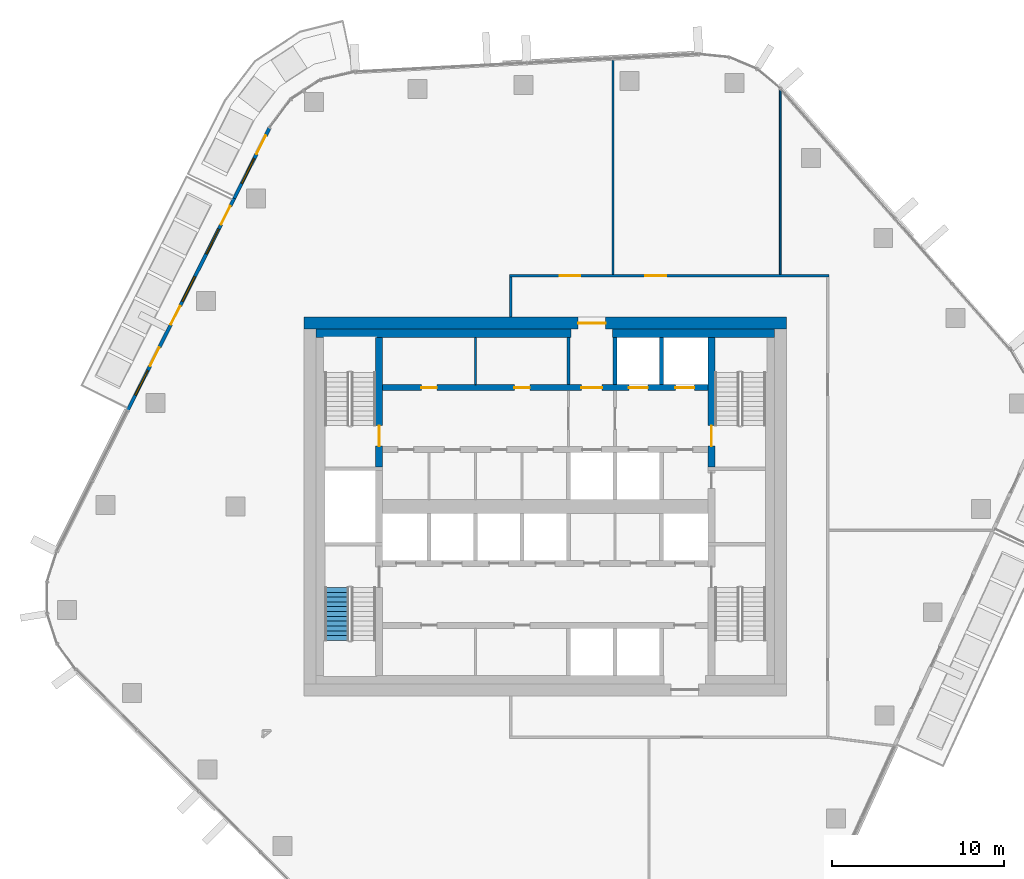
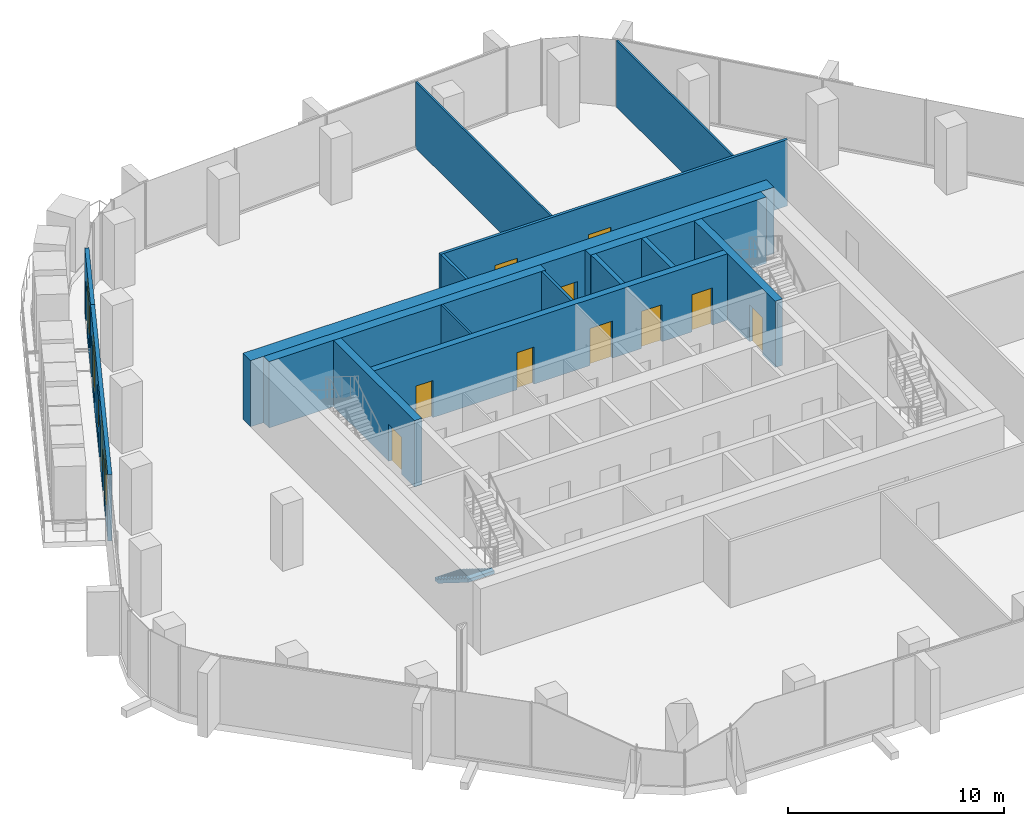
# One storey, part 13 of 21: 16 walls, 14 doors, 4 windows, 1 stair flight, 18 openings, 1 element without a shape of its own.
"""IFC4 building model written with IfcOpenShell, lengths in metres."""

from ifc_helpers import new_model, si_unit, direction, frame, frame_2d, origin, place, context, subcontext, project, spatial, polyline, rectangle, outline, extrude, material, layer, layer_set, type_object, element, fill, aggregate, save


model = new_model("IFC4")

# Units and contexts
model_context = context("Model", 3, precision=1e-05, world=origin(), true_north=direction((0.0, 1.0)))
body_context = subcontext(model_context, "Body", "Model", "MODEL_VIEW")
ifc_project = project(units=[si_unit("LENGTHUNIT", "METRE"), si_unit("AREAUNIT", "SQUARE_METRE"), si_unit("VOLUMEUNIT", "CUBIC_METRE"), si_unit("PLANEANGLEUNIT", "RADIAN"), si_unit("MASSUNIT", "GRAM", prefix="KILO")], contexts=[model_context])

# Site, building, storey
site_placement = place(None, origin())
site = spatial("IfcSite", under=ifc_project, at=site_placement, CompositionType="ELEMENT")
building_placement = place(site_placement, origin())
building = spatial("IfcBuilding", under=site, at=building_placement, Name="Dongbaek Canopy Tower", CompositionType="ELEMENT")
storey_placement = place(building_placement, frame((0.0, 0.0, 232.800048828125)))
storey = spatial("IfcBuildingStorey", under=building, at=storey_placement, Name="L48", CompositionType="ELEMENT", Elevation=232.800048828125)

# Wall, openings, doors
ifc_material_1 = material(Name="Concrete C60/75", Category="concrete")
ifc_layer_1 = layer(ifc_material_1, 0.35009765625)
ifc_layer_set_1 = layer_set([ifc_layer_1], Name="Core lobby wall 350 Concrete C60/75")
wall_type_1 = type_object("IfcWallType", Name="Core lobby wall 350 Concrete C60/75", PredefinedType="SHEAR", material=ifc_layer_set_1)
wall_1_placement = place(storey_placement, frame((-9.449951171875, 6.89990234375, 0.0), z_axis=(0.0, 0.0, 1.0), x_axis=(1.0, 0.0, 0.0)))
wall_1 = element("IfcWall", 1, at=wall_1_placement, inside=storey, type_object=wall_type_1, Name="Core wall", PredefinedType="SHEAR", context=body_context, shape_type="SweptSolid", body=[
    extrude(rectangle(XDim=18.89990234375, YDim=0.35009765625, at=frame_2d((9.449951171875, 0.0))), origin(), (0.0, 0.0, 1.0), 3.75),
])
opening_1_placement = place(wall_1_placement, frame((11.550048828125, 0.0, 0.0)))
opening_1 = element("IfcOpeningElement", 2, at=opening_1_placement, cuts=wall_1, Name="Opening L48-D008", PredefinedType="OPENING", context=body_context, shape_type="SweptSolid", body=[
    extrude(rectangle(XDim=1.199951171875, YDim=2.10009765625, at=frame_2d((0.60009765625, 1.050048828125))), frame((0.0, 0.18505859375, 0.0), z_axis=(0.0, -1.0, 0.0), x_axis=(1.0, 0.0, 0.0)), (0.0, 0.0, 1.0), 0.3701171875),
])
opening_2_placement = place(wall_1_placement, frame((14.300048828125, 0.0, 0.0)))
opening_2 = element("IfcOpeningElement", 3, at=opening_2_placement, cuts=wall_1, Name="Opening L48-D009", PredefinedType="OPENING", context=body_context, shape_type="SweptSolid", body=[
    extrude(rectangle(XDim=1.10009765625, YDim=2.10009765625, at=frame_2d((0.550048828125, 1.050048828125))), frame((0.0, 0.18505859375, 0.0), z_axis=(0.0, -1.0, 0.0), x_axis=(1.0, 0.0, 0.0)), (0.0, 0.0, 1.0), 0.3701171875),
])
opening_3_placement = place(wall_1_placement, frame((17.0, 0.0, 0.0)))
opening_3 = element("IfcOpeningElement", 4, at=opening_3_placement, cuts=wall_1, Name="Opening L48-D010", PredefinedType="OPENING", context=body_context, shape_type="SweptSolid", body=[
    extrude(rectangle(XDim=1.10009765625, YDim=2.10009765625, at=frame_2d((0.550048828125, 1.050048828125))), frame((0.0, 0.18505859375, 0.0), z_axis=(0.0, -1.0, 0.0), x_axis=(1.0, 0.0, 0.0)), (0.0, 0.0, 1.0), 0.3701171875),
])
opening_4_placement = place(wall_1_placement, frame((2.25, 0.0, 0.0)))
opening_4 = element("IfcOpeningElement", 5, at=opening_4_placement, cuts=wall_1, Name="Opening L48-D021", PredefinedType="OPENING", context=body_context, shape_type="SweptSolid", body=[
    extrude(rectangle(XDim=0.89990234375, YDim=2.10009765625, at=frame_2d((0.449951171875, 1.050048828125))), frame((0.0, 0.18505859375, 0.0), z_axis=(0.0, -1.0, 0.0), x_axis=(1.0, 0.0, 0.0)), (0.0, 0.0, 1.0), 0.3701171875),
])
opening_5_placement = place(wall_1_placement, frame((7.64990234375, 0.0, 0.0)))
opening_5 = element("IfcOpeningElement", 6, at=opening_5_placement, cuts=wall_1, Name="Opening L48-D022", PredefinedType="OPENING", context=body_context, shape_type="SweptSolid", body=[
    extrude(rectangle(XDim=0.89990234375, YDim=2.10009765625, at=frame_2d((0.449951171875, 1.050048828125))), frame((0.0, 0.18505859375, 0.0), z_axis=(0.0, -1.0, 0.0), x_axis=(1.0, 0.0, 0.0)), (0.0, 0.0, 1.0), 0.3701171875),
])
ifc_material_2 = material(Name="Steel", Category="steel")
door_type_1 = type_object("IfcDoorType", Name="Core room door 900 x 2100", OperationType="SINGLE_SWING_LEFT", PredefinedType="DOOR", material=ifc_material_2)
door_1_placement = place(opening_4_placement, origin())
door_1 = element("IfcDoor", 7, at=door_1_placement, inside=storey, type_object=door_type_1, Name="Door L48-D021", OperationType="SINGLE_SWING_RIGHT", OverallHeight=2.10009765625, OverallWidth=0.89990234375, PredefinedType="DOOR", context=body_context, shape_type="SweptSolid", body=[
    extrude(rectangle(XDim=0.89990234375, YDim=2.10009765625, at=frame_2d((0.449951171875, 1.050048828125))), frame((0.0, 0.02490234375, 0.0), z_axis=(0.0, -1.0, 0.0), x_axis=(1.0, 0.0, 0.0)), (0.0, 0.0, 1.0), 0.050048828125),
])
fill(opening_4, door_1)
door_2_placement = place(opening_5_placement, origin())
door_2 = element("IfcDoor", 8, at=door_2_placement, inside=storey, type_object=door_type_1, Name="Door L48-D022", OperationType="SINGLE_SWING_LEFT", OverallHeight=2.10009765625, OverallWidth=0.89990234375, PredefinedType="DOOR", context=body_context, shape_type="SweptSolid", body=[
    extrude(rectangle(XDim=0.89990234375, YDim=2.10009765625, at=frame_2d((0.449951171875, 1.050048828125))), frame((0.0, 0.02490234375, 0.0), z_axis=(0.0, -1.0, 0.0), x_axis=(1.0, 0.0, 0.0)), (0.0, 0.0, 1.0), 0.050048828125),
])
fill(opening_5, door_2)
ifc_material_3 = material(Name="Steel", Category="steel")
door_type_2 = type_object("IfcDoorType", Name="Fire lobby door 1200 x 2100", OperationType="SINGLE_SWING_LEFT", PredefinedType="DOOR", material=ifc_material_3)
door_3_placement = place(opening_1_placement, origin())
door_3 = element("IfcDoor", 9, at=door_3_placement, inside=storey, type_object=door_type_2, Name="Door L48-D008", OperationType="SINGLE_SWING_LEFT", OverallHeight=2.10009765625, OverallWidth=1.199951171875, PredefinedType="DOOR", context=body_context, shape_type="SweptSolid", body=[
    extrude(rectangle(XDim=1.199951171875, YDim=2.10009765625, at=frame_2d((0.60009765625, 1.050048828125))), frame((0.0, 0.02490234375, 0.0), z_axis=(0.0, -1.0, 0.0), x_axis=(1.0, 0.0, 0.0)), (0.0, 0.0, 1.0), 0.050048828125),
])
fill(opening_1, door_3)
ifc_material_4 = material(Name="Stainless steel", Category="steel")
door_type_3 = type_object("IfcDoorType", Name="Lift landing door 1100 x 2100", OperationType="DOUBLE_DOOR_SLIDING", PredefinedType="DOOR", material=ifc_material_4)
door_4_placement = place(opening_2_placement, origin())
door_4 = element("IfcDoor", 10, at=door_4_placement, inside=storey, type_object=door_type_3, Name="Landing door FF1", OperationType="DOUBLE_DOOR_SLIDING", OverallHeight=2.10009765625, OverallWidth=1.10009765625, PredefinedType="DOOR", context=body_context, shape_type="SweptSolid", body=[
    extrude(rectangle(XDim=1.10009765625, YDim=2.10009765625, at=frame_2d((0.550048828125, 1.050048828125))), frame((0.0, 0.02490234375, 0.0), z_axis=(0.0, -1.0, 0.0), x_axis=(1.0, 0.0, 0.0)), (0.0, 0.0, 1.0), 0.050048828125),
])
fill(opening_2, door_4)
door_5_placement = place(opening_3_placement, origin())
door_5 = element("IfcDoor", 11, at=door_5_placement, inside=storey, type_object=door_type_3, Name="Landing door FF2", OperationType="DOUBLE_DOOR_SLIDING", OverallHeight=2.10009765625, OverallWidth=1.10009765625, PredefinedType="DOOR", context=body_context, shape_type="SweptSolid", body=[
    extrude(rectangle(XDim=1.10009765625, YDim=2.10009765625, at=frame_2d((0.550048828125, 1.050048828125))), frame((0.0, 0.02490234375, 0.0), z_axis=(0.0, -1.0, 0.0), x_axis=(1.0, 0.0, 0.0)), (0.0, 0.0, 1.0), 0.050048828125),
])
fill(opening_3, door_5)

# Wall, opening, door
ifc_material_5 = material(Name="Concrete C70/85", Category="concrete")
ifc_layer_2 = layer(ifc_material_5, 0.699951171875)
ifc_layer_set_2 = layer_set([ifc_layer_2], Name="Core outer wall 700 Concrete C70/85")
wall_type_2 = type_object("IfcWallType", Name="Core outer wall 700 Concrete C70/85", PredefinedType="SHEAR", material=ifc_layer_set_2)
wall_2_placement = place(storey_placement, frame((-14.0, 10.64990234375, 0.0), z_axis=(0.0, 0.0, 1.0), x_axis=(1.0, 0.0, 0.0)))
wall_2 = element("IfcWall", 12, at=wall_2_placement, inside=storey, type_object=wall_type_2, Name="Core wall", PredefinedType="SHEAR", context=body_context, shape_type="SweptSolid", body=[
    extrude(rectangle(XDim=28.0, YDim=0.699951171875, at=frame_2d((14.0, 0.0))), origin(), (0.0, 0.0, 1.0), 3.75),
])
opening_6_placement = place(wall_2_placement, frame((15.89990234375, 0.0, 0.0)))
opening_6 = element("IfcOpeningElement", 13, at=opening_6_placement, cuts=wall_2, Name="Opening L48-D007", PredefinedType="OPENING", context=body_context, shape_type="SweptSolid", body=[
    extrude(rectangle(XDim=1.60009765625, YDim=2.10009765625, at=frame_2d((0.800048828125, 1.050048828125))), frame((0.0, 0.35986328125, 0.0), z_axis=(0.0, -1.0, 0.0), x_axis=(1.0, 0.0, 0.0)), (0.0, 0.0, 1.0), 0.719970703125),
])
ifc_material_6 = material(Name="Steel", Category="steel")
door_type_4 = type_object("IfcDoorType", Name="Core exit door 1600 x 2100", OperationType="DOUBLE_DOOR_SINGLE_SWING", PredefinedType="DOOR", material=ifc_material_6)
door_6_placement = place(opening_6_placement, origin())
door_6 = element("IfcDoor", 14, at=door_6_placement, inside=storey, type_object=door_type_4, Name="Core exit door", OperationType="DOUBLE_DOOR_SINGLE_SWING", OverallHeight=2.10009765625, OverallWidth=1.60009765625, PredefinedType="DOOR", context=body_context, shape_type="SweptSolid", body=[
    extrude(rectangle(XDim=1.60009765625, YDim=2.10009765625, at=frame_2d((0.800048828125, 1.050048828125))), frame((0.0, 0.02490234375, 0.0), z_axis=(0.0, -1.0, 0.0), x_axis=(1.0, 0.0, 0.0)), (0.0, 0.0, 1.0), 0.050048828125),
])
fill(opening_6, door_6)

# Walls
ifc_material_7 = material(Name="Concrete C60/75", Category="concrete")
ifc_layer_3 = layer(ifc_material_7, 0.5)
ifc_layer_set_3 = layer_set([ifc_layer_3], Name="Core wall lining 500 Concrete C60/75")
wall_type_3 = type_object("IfcWallType", Name="Core wall lining 500 Concrete C60/75", PredefinedType="SHEAR", material=ifc_layer_set_3)
wall_3_placement = place(storey_placement, frame((-13.300048828125, 10.050048828125, 0.0), z_axis=(0.0, 0.0, 1.0), x_axis=(1.0, 0.0, 0.0)))
element("IfcWall", 15, at=wall_3_placement, inside=storey, type_object=wall_type_3, Name="Core wall lining", PredefinedType="SHEAR", context=body_context, shape_type="SweptSolid", body=[
    extrude(rectangle(XDim=14.800048828125, YDim=0.5, at=frame_2d((7.39990234375, 0.0))), origin(), (0.0, 0.0, 1.0), 3.75),
])
wall_4_placement = place(storey_placement, frame((3.89990234375, 10.050048828125, 0.0), z_axis=(0.0, 0.0, 1.0), x_axis=(1.0, 0.0, 0.0)))
element("IfcWall", 16, at=wall_4_placement, inside=storey, type_object=wall_type_3, Name="Core wall lining", PredefinedType="SHEAR", context=body_context, shape_type="SweptSolid", body=[
    extrude(rectangle(XDim=9.400146484375, YDim=0.5, at=frame_2d((4.7001953125, 0.0))), origin(), (0.0, 0.0, 1.0), 3.75),
])

# Wall, openings, doors
ifc_material_8 = material(Name="Gypsum board partition, steel stud, 2 x 15 mm fire board", Category="steel")
ifc_layer_4 = layer(ifc_material_8, 0.14990234375)
ifc_layer_set_4 = layer_set([ifc_layer_4], Name="Fire-rated partition 150 gypsum board")
wall_type_4 = type_object("IfcWallType", Name="Fire-rated partition 150 gypsum board", PredefinedType="PARTITIONING", material=ifc_layer_set_4)
wall_5_placement = place(storey_placement, frame((-2.074951171875, 13.39990234375, 0.0), z_axis=(0.0, 0.0, 1.0), x_axis=(1.0, 0.0, 0.0)))
wall_5 = element("IfcWall", 17, at=wall_5_placement, inside=storey, type_object=wall_type_4, Name="Corridor partition", PredefinedType="PARTITIONING", context=body_context, shape_type="SweptSolid", body=[
    extrude(rectangle(XDim=18.550048828125, YDim=0.14990234375, at=frame_2d((9.27490234375, 0.0))), origin(), (0.0, 0.0, 1.0), 3.75),
])
opening_7_placement = place(wall_5_placement, frame((2.91015625, 0.0, 0.0)))
opening_7 = element("IfcOpeningElement", 18, at=opening_7_placement, cuts=wall_5, Name="Opening L48-D001", PredefinedType="OPENING", context=body_context, shape_type="SweptSolid", body=[
    extrude(rectangle(XDim=1.199951171875, YDim=2.10009765625, at=frame_2d((0.60009765625, 1.050048828125))), frame((0.0, 0.0849609375, 0.0), z_axis=(0.0, -1.0, 0.0), x_axis=(1.0, 0.0, 0.0)), (0.0, 0.0, 1.0), 0.169921875),
])
opening_8_placement = place(wall_5_placement, frame((7.8935546875, 0.0, 0.0)))
opening_8 = element("IfcOpeningElement", 19, at=opening_8_placement, cuts=wall_5, Name="Opening L48-D005", PredefinedType="OPENING", context=body_context, shape_type="SweptSolid", body=[
    extrude(rectangle(XDim=1.199951171875, YDim=2.10009765625, at=frame_2d((0.60009765625, 1.050048828125))), frame((0.0, 0.0849609375, 0.0), z_axis=(0.0, -1.0, 0.0), x_axis=(1.0, 0.0, 0.0)), (0.0, 0.0, 1.0), 0.169921875),
])
ifc_material_9 = material(Name="Timber veneered door leaf", Category="wood")
door_type_5 = type_object("IfcDoorType", Name="Room door 1200 x 2100", OperationType="SINGLE_SWING_LEFT", PredefinedType="DOOR", material=ifc_material_9)
door_7_placement = place(opening_7_placement, origin())
door_7 = element("IfcDoor", 20, at=door_7_placement, inside=storey, type_object=door_type_5, Name="Door L48-D001", OperationType="SINGLE_SWING_RIGHT", OverallHeight=2.10009765625, OverallWidth=1.199951171875, PredefinedType="DOOR", context=body_context, shape_type="SweptSolid", body=[
    extrude(rectangle(XDim=1.199951171875, YDim=2.10009765625, at=frame_2d((0.60009765625, 1.050048828125))), frame((0.0, 0.02490234375, 0.0), z_axis=(0.0, -1.0, 0.0), x_axis=(1.0, 0.0, 0.0)), (0.0, 0.0, 1.0), 0.050048828125),
])
fill(opening_7, door_7)
door_8_placement = place(opening_8_placement, origin())
door_8 = element("IfcDoor", 21, at=door_8_placement, inside=storey, type_object=door_type_5, Name="Door L48-D005", OperationType="SINGLE_SWING_RIGHT", OverallHeight=2.10009765625, OverallWidth=1.199951171875, PredefinedType="DOOR", context=body_context, shape_type="SweptSolid", body=[
    extrude(rectangle(XDim=1.199951171875, YDim=2.10009765625, at=frame_2d((0.60009765625, 1.050048828125))), frame((0.0, 0.02490234375, 0.0), z_axis=(0.0, -1.0, 0.0), x_axis=(1.0, 0.0, 0.0)), (0.0, 0.0, 1.0), 0.050048828125),
])
fill(opening_8, door_8)

# Walls
wall_6_placement = place(storey_placement, frame((-2.0, 11.0, 0.0), z_axis=(0.0, 0.0, 1.0), x_axis=(0.0, 1.0, 0.0)))
element("IfcWall", 22, at=wall_6_placement, inside=storey, type_object=wall_type_4, Name="Corridor partition", PredefinedType="PARTITIONING", context=body_context, shape_type="SweptSolid", body=[
    extrude(rectangle(XDim=2.324951171875, YDim=0.14990234375, at=frame_2d((1.16259765625, 0.0))), origin(), (0.0, 0.0, 1.0), 3.75),
])
wall_7_placement = place(storey_placement, frame((1.35009765625, 7.074951171875, 0.0), z_axis=(0.0, 0.0, 1.0), x_axis=(0.0, 1.0, 0.0)))
element("IfcWall", 23, at=wall_7_placement, inside=storey, type_object=wall_type_4, Name="Fire lobby partition", PredefinedType="PARTITIONING", context=body_context, shape_type="SweptSolid", body=[
    extrude(rectangle(XDim=2.72509765625, YDim=0.14990234375, at=frame_2d((1.362548828125, 0.0))), origin(), (0.0, 0.0, 1.0), 3.75),
])
ifc_material_10 = material(Name="Concrete C40/50", Category="concrete")
ifc_layer_5 = layer(ifc_material_10, 0.25)
ifc_layer_set_5 = layer_set([ifc_layer_5], Name="Lift shaft wall 250 Concrete C40/50")
wall_type_5 = type_object("IfcWallType", Name="Lift shaft wall 250 Concrete C40/50", PredefinedType="SOLIDWALL", material=ifc_layer_set_5)
for number, where, z_axis, x_axis, name in (
    (24, (6.75, 7.074951171875, 0.0), (0.0, 0.0, 1.0), (0.0, 1.0, 0.0), "Lift shaft wall"),
    (25, (4.050048828125, 7.074951171875, 0.0), (0.0, 0.0, 1.0), (0.0, 1.0, 0.0), "Lift shaft wall"),
):
    element("IfcWall", number, at=place(storey_placement, frame(where, z_axis=z_axis, x_axis=x_axis)), inside=storey, type_object=wall_type_5, Name=name, PredefinedType="SOLIDWALL", context=body_context, shape_type="SweptSolid", body=[
        extrude(rectangle(XDim=2.72509765625, YDim=0.25, at=frame_2d((1.362548828125, 0.0))), origin(), (0.0, 0.0, 1.0), 3.75),
    ])
ifc_material_11 = material(Name="Gypsum board partition, steel stud, 2 x 12.5 mm board", Category="steel")
ifc_layer_6 = layer(ifc_material_11, 0.10009765625)
ifc_layer_set_6 = layer_set([ifc_layer_6], Name="Partition 100 gypsum board")
wall_type_6 = type_object("IfcWallType", Name="Partition 100 gypsum board", PredefinedType="PARTITIONING", material=ifc_layer_set_6)
wall_8_placement = place(storey_placement, frame((13.64697265625, 13.47509765625, 0.0), z_axis=(0.0, 0.0, 1.0), x_axis=(0.0, 1.0, 0.0)))
element("IfcWall", 26, at=wall_8_placement, inside=storey, type_object=wall_type_6, Name="Partition", PredefinedType="PARTITIONING", context=body_context, shape_type="SweptSolid", body=[
    extrude(rectangle(XDim=10.759521484375, YDim=0.10009765625, at=frame_2d((5.3798828125, 0.0))), origin(), (0.0, 0.0, 1.0), 3.75),
])
wall_9_placement = place(storey_placement, frame((3.928955078125, 13.47509765625, 0.0), z_axis=(0.0, 0.0, 1.0), x_axis=(0.0, 1.0, 0.0)))
element("IfcWall", 27, at=wall_9_placement, inside=storey, type_object=wall_type_6, Name="Partition", PredefinedType="PARTITIONING", context=body_context, shape_type="SweptSolid", body=[
    extrude(rectangle(XDim=12.50830078125, YDim=0.10009765625, at=frame_2d((6.254150390625, 0.0))), origin(), (0.0, 0.0, 1.0), 3.75),
])
wall_10_placement = place(storey_placement, frame((-4.050048828125, 7.074951171875, 0.0), z_axis=(0.0, 0.0, 1.0), x_axis=(0.0, 1.0, 0.0)))
element("IfcWall", 28, at=wall_10_placement, inside=storey, type_object=wall_type_6, Name="Core partition", PredefinedType="PARTITIONING", context=body_context, shape_type="SweptSolid", body=[
    extrude(rectangle(XDim=2.72509765625, YDim=0.10009765625, at=frame_2d((1.362548828125, 0.0))), origin(), (0.0, 0.0, 1.0), 3.75),
])

# Wall, opening, door
ifc_material_12 = material(Name="Concrete C60/75", Category="concrete")
ifc_layer_7 = layer(ifc_material_12, 0.39990234375)
ifc_layer_set_7 = layer_set([ifc_layer_7], Name="Stair wall 400 Concrete C60/75")
wall_type_7 = type_object("IfcWallType", Name="Stair wall 400 Concrete C60/75", PredefinedType="SHEAR", material=ifc_layer_set_7)
wall_11_placement = place(storey_placement, frame((9.64990234375, 9.800048828125, 0.0), z_axis=(0.0, 0.0, 1.0), x_axis=(0.0, -1.0, 0.0)))
wall_11 = element("IfcWall", 29, at=wall_11_placement, inside=storey, type_object=wall_type_7, Name="Stair wall", PredefinedType="SHEAR", context=body_context, shape_type="SweptSolid", body=[
    extrude(rectangle(XDim=7.5, YDim=0.39990234375, at=frame_2d((3.75, 0.0))), origin(), (0.0, 0.0, 1.0), 3.75),
])
opening_9_placement = place(wall_11_placement, frame((5.10009765625, 0.0, 0.0)))
opening_9 = element("IfcOpeningElement", 30, at=opening_9_placement, cuts=wall_11, Name="Opening L48-D031", PredefinedType="OPENING", context=body_context, shape_type="SweptSolid", body=[
    extrude(rectangle(XDim=1.199951171875, YDim=2.10009765625, at=frame_2d((0.60009765625, 1.050048828125))), frame((0.0, 0.2099609375, 0.0), z_axis=(0.0, -1.0, 0.0), x_axis=(1.0, 0.0, 0.0)), (0.0, 0.0, 1.0), 0.419921875),
])
ifc_material_13 = material(Name="Steel", Category="steel")
door_type_6 = type_object("IfcDoorType", Name="Stair door 1200 x 2100", OperationType="SINGLE_SWING_LEFT", PredefinedType="DOOR", material=ifc_material_13)
door_9_placement = place(opening_9_placement, origin())
door_9 = element("IfcDoor", 31, at=door_9_placement, inside=storey, type_object=door_type_6, Name="Stair A door", OperationType="SINGLE_SWING_LEFT", OverallHeight=2.10009765625, OverallWidth=1.199951171875, PredefinedType="DOOR", context=body_context, shape_type="SweptSolid", body=[
    extrude(rectangle(XDim=1.199951171875, YDim=2.10009765625, at=frame_2d((0.60009765625, 1.050048828125))), frame((0.0, 0.02490234375, 0.0), z_axis=(0.0, -1.0, 0.0), x_axis=(1.0, 0.0, 0.0)), (0.0, 0.0, 1.0), 0.050048828125),
])
fill(opening_9, door_9)

wall_12_placement = place(storey_placement, frame((-9.64990234375, 2.300048828125, 0.0), z_axis=(0.0, 0.0, 1.0), x_axis=(0.0, 1.0, 0.0)))
wall_12 = element("IfcWall", 32, at=wall_12_placement, inside=storey, type_object=wall_type_7, Name="Stair wall", PredefinedType="SHEAR", context=body_context, shape_type="SweptSolid", body=[
    extrude(rectangle(XDim=7.5, YDim=0.39990234375, at=frame_2d((3.75, 0.0))), origin(), (0.0, 0.0, 1.0), 3.75),
])
opening_10_placement = place(wall_12_placement, frame((1.199951171875, 0.0, 0.0)))
opening_10 = element("IfcOpeningElement", 33, at=opening_10_placement, cuts=wall_12, Name="Opening L48-D032", PredefinedType="OPENING", context=body_context, shape_type="SweptSolid", body=[
    extrude(rectangle(XDim=1.199951171875, YDim=2.10009765625, at=frame_2d((0.60009765625, 1.050048828125))), frame((0.0, 0.2099609375, 0.0), z_axis=(0.0, -1.0, 0.0), x_axis=(1.0, 0.0, 0.0)), (0.0, 0.0, 1.0), 0.419921875),
])
door_10_placement = place(opening_10_placement, origin())
door_10 = element("IfcDoor", 34, at=door_10_placement, inside=storey, type_object=door_type_6, Name="Stair C door", OperationType="SINGLE_SWING_RIGHT", OverallHeight=2.10009765625, OverallWidth=1.199951171875, PredefinedType="DOOR", context=body_context, shape_type="SweptSolid", body=[
    extrude(rectangle(XDim=1.199951171875, YDim=2.10009765625, at=frame_2d((0.60009765625, 1.050048828125))), frame((0.0, 0.02490234375, 0.0), z_axis=(0.0, -1.0, 0.0), x_axis=(1.0, 0.0, 0.0)), (0.0, 0.0, 1.0), 0.050048828125),
])
fill(opening_10, door_10)

# Wall, openings, doors, windows
ifc_material_14 = material(Name="Aluminium window wall", Category="aluminium")
ifc_layer_8 = layer(ifc_material_14, 0.199951171875)
ifc_layer_set_8 = layer_set([ifc_layer_8], Name="Window wall 200")
wall_type_8 = type_object("IfcWallType", Name="Window wall 200", PredefinedType="SOLIDWALL", material=ifc_layer_set_8)
wall_13_placement = place(storey_placement, frame((-18.063720703125, 17.89111328125, 0.0), z_axis=(0.0, 0.0, 1.0), x_axis=(-0.448914630317, -0.893574649756, 0.0)))
wall_13 = element("IfcWall", 35, at=wall_13_placement, inside=storey, type_object=wall_type_8, Name="Window wall L48 1", PredefinedType="SOLIDWALL", context=body_context, shape_type="SweptSolid", body=[
    extrude(rectangle(XDim=13.771728515625, YDim=0.199951171875, at=frame_2d((6.8857421875, 0.0))), origin(), (0.0, 0.0, 1.0), 3.75),
])
opening_11_placement = place(wall_13_placement, frame((2.0, 0.0, 0.60009765625)))
opening_11 = element("IfcOpeningElement", 36, at=opening_11_placement, cuts=wall_13, Name="Opening W1", PredefinedType="OPENING", context=body_context, shape_type="SweptSolid", body=[
    extrude(rectangle(XDim=1.60009765625, YDim=2.39990234375, at=frame_2d((0.800048828125, 1.199951171875))), frame((0.0, 0.10986328125, 0.0), z_axis=(0.0, -1.0, 0.0), x_axis=(1.0, 0.0, 0.0)), (0.0, 0.0, 1.0), 0.219970703125),
])
opening_12_placement = place(wall_13_placement, frame((0.5, 0.0, 0.0)))
opening_12 = element("IfcOpeningElement", 37, at=opening_12_placement, cuts=wall_13, Name="Opening L48-B01", PredefinedType="OPENING", context=body_context, shape_type="SweptSolid", body=[
    extrude(rectangle(XDim=1.199951171875, YDim=2.39990234375, at=frame_2d((0.60009765625, 1.199951171875))), frame((0.0, 0.10986328125, 0.0), z_axis=(0.0, -1.0, 0.0), x_axis=(1.0, 0.0, 0.0)), (0.0, 0.0, 1.0), 0.219970703125),
])
opening_13_placement = place(wall_13_placement, frame((5.090576171875, 0.0, 0.60009765625)))
opening_13 = element("IfcOpeningElement", 38, at=opening_13_placement, cuts=wall_13, Name="Opening W1", PredefinedType="OPENING", context=body_context, shape_type="SweptSolid", body=[
    extrude(rectangle(XDim=1.60009765625, YDim=2.39990234375, at=frame_2d((0.800048828125, 1.199951171875))), frame((0.0, 0.10986328125, 0.0), z_axis=(0.0, -1.0, 0.0), x_axis=(1.0, 0.0, 0.0)), (0.0, 0.0, 1.0), 0.219970703125),
])
opening_14_placement = place(wall_13_placement, frame((6.99072265625, 0.0, 0.0)))
opening_14 = element("IfcOpeningElement", 39, at=opening_14_placement, cuts=wall_13, Name="Opening L48-B02", PredefinedType="OPENING", context=body_context, shape_type="SweptSolid", body=[
    extrude(rectangle(XDim=1.199951171875, YDim=2.39990234375, at=frame_2d((0.60009765625, 1.199951171875))), frame((0.0, 0.10986328125, 0.0), z_axis=(0.0, -1.0, 0.0), x_axis=(1.0, 0.0, 0.0)), (0.0, 0.0, 1.0), 0.219970703125),
])
opening_15_placement = place(wall_13_placement, frame((11.18115234375, 0.0, 0.60009765625)))
opening_15 = element("IfcOpeningElement", 40, at=opening_15_placement, cuts=wall_13, Name="Opening W1", PredefinedType="OPENING", context=body_context, shape_type="SweptSolid", body=[
    extrude(rectangle(XDim=1.60009765625, YDim=2.39990234375, at=frame_2d((0.800048828125, 1.199951171875))), frame((0.0, 0.10986328125, 0.0), z_axis=(0.0, -1.0, 0.0), x_axis=(1.0, 0.0, 0.0)), (0.0, 0.0, 1.0), 0.219970703125),
])
opening_16_placement = place(wall_13_placement, frame((9.68115234375, 0.0, 0.0)))
opening_16 = element("IfcOpeningElement", 41, at=opening_16_placement, cuts=wall_13, Name="Opening L48-B03", PredefinedType="OPENING", context=body_context, shape_type="SweptSolid", body=[
    extrude(rectangle(XDim=1.199951171875, YDim=2.39990234375, at=frame_2d((0.60009765625, 1.199951171875))), frame((0.0, 0.10986328125, 0.0), z_axis=(0.0, -1.0, 0.0), x_axis=(1.0, 0.0, 0.0)), (0.0, 0.0, 1.0), 0.219970703125),
])
ifc_material_15 = material(Name="Clear glazing in aluminium frame", Category="aluminium")
door_type_7 = type_object("IfcDoorType", Name="Balcony door BD1 1200 x 2400", OperationType="SLIDING_TO_LEFT", PredefinedType="DOOR", material=ifc_material_15)
door_11_placement = place(opening_12_placement, origin())
door_11 = element("IfcDoor", 42, at=door_11_placement, inside=storey, type_object=door_type_7, Name="Balcony door L48-B01", OperationType="SLIDING_TO_LEFT", OverallHeight=2.39990234375, OverallWidth=1.199951171875, PredefinedType="DOOR", context=body_context, shape_type="SweptSolid", body=[
    extrude(rectangle(XDim=1.199951171875, YDim=2.39990234375, at=frame_2d((0.60009765625, 1.199951171875))), frame((0.0, 0.02490234375, 0.0), z_axis=(0.0, -1.0, 0.0), x_axis=(1.0, 0.0, 0.0)), (0.0, 0.0, 1.0), 0.050048828125),
])
fill(opening_12, door_11)
door_12_placement = place(opening_14_placement, origin())
door_12 = element("IfcDoor", 43, at=door_12_placement, inside=storey, type_object=door_type_7, Name="Balcony door L48-B02", OperationType="SLIDING_TO_LEFT", OverallHeight=2.39990234375, OverallWidth=1.199951171875, PredefinedType="DOOR", context=body_context, shape_type="SweptSolid", body=[
    extrude(rectangle(XDim=1.199951171875, YDim=2.39990234375, at=frame_2d((0.60009765625, 1.199951171875))), frame((0.0, 0.02490234375, 0.0), z_axis=(0.0, -1.0, 0.0), x_axis=(1.0, 0.0, 0.0)), (0.0, 0.0, 1.0), 0.050048828125),
])
fill(opening_14, door_12)
door_13_placement = place(opening_16_placement, origin())
door_13 = element("IfcDoor", 44, at=door_13_placement, inside=storey, type_object=door_type_7, Name="Balcony door L48-B03", OperationType="SLIDING_TO_LEFT", OverallHeight=2.39990234375, OverallWidth=1.199951171875, PredefinedType="DOOR", context=body_context, shape_type="SweptSolid", body=[
    extrude(rectangle(XDim=1.199951171875, YDim=2.39990234375, at=frame_2d((0.60009765625, 1.199951171875))), frame((0.0, 0.02490234375, 0.0), z_axis=(0.0, -1.0, 0.0), x_axis=(1.0, 0.0, 0.0)), (0.0, 0.0, 1.0), 0.050048828125),
])
fill(opening_16, door_13)
ifc_material_16 = material(Name="Clear glazing in aluminium frame", Category="aluminium")
window_type = type_object("IfcWindowType", Name="Window W1 1600 x 2400", PartitioningType="SINGLE_PANEL", PredefinedType="WINDOW", material=ifc_material_16)
window_1_placement = place(opening_11_placement, origin())
window_1 = element("IfcWindow", 45, at=window_1_placement, inside=storey, type_object=window_type, Name="Window L48 1.1", OverallHeight=2.39990234375, OverallWidth=1.60009765625, PartitioningType="SINGLE_PANEL", PredefinedType="WINDOW", context=body_context, shape_type="SweptSolid", body=[
    extrude(rectangle(XDim=1.60009765625, YDim=2.39990234375, at=frame_2d((0.800048828125, 1.199951171875))), frame((0.0, 0.030029296875, 0.0), z_axis=(0.0, -1.0, 0.0), x_axis=(1.0, 0.0, 0.0)), (0.0, 0.0, 1.0), 0.06005859375),
])
fill(opening_11, window_1)
window_2_placement = place(opening_13_placement, origin())
window_2 = element("IfcWindow", 46, at=window_2_placement, inside=storey, type_object=window_type, Name="Window L48 1.2", OverallHeight=2.39990234375, OverallWidth=1.60009765625, PartitioningType="SINGLE_PANEL", PredefinedType="WINDOW", context=body_context, shape_type="SweptSolid", body=[
    extrude(rectangle(XDim=1.60009765625, YDim=2.39990234375, at=frame_2d((0.800048828125, 1.199951171875))), frame((0.0, 0.030029296875, 0.0), z_axis=(0.0, -1.0, 0.0), x_axis=(1.0, 0.0, 0.0)), (0.0, 0.0, 1.0), 0.06005859375),
])
fill(opening_13, window_2)
window_3_placement = place(opening_15_placement, origin())
window_3 = element("IfcWindow", 47, at=window_3_placement, inside=storey, type_object=window_type, Name="Window L48 1.3", OverallHeight=2.39990234375, OverallWidth=1.60009765625, PartitioningType="SINGLE_PANEL", PredefinedType="WINDOW", context=body_context, shape_type="SweptSolid", body=[
    extrude(rectangle(XDim=1.60009765625, YDim=2.39990234375, at=frame_2d((0.800048828125, 1.199951171875))), frame((0.0, 0.030029296875, 0.0), z_axis=(0.0, -1.0, 0.0), x_axis=(1.0, 0.0, 0.0)), (0.0, 0.0, 1.0), 0.06005859375),
])
fill(opening_15, window_3)

# Wall, openings, door, window
wall_14_placement = place(storey_placement, frame((-16.007080078125, 21.9853515625, 0.0), z_axis=(0.0, 0.0, 1.0), x_axis=(-0.448875324163, -0.893594395325, 0.0)))
wall_14 = element("IfcWall", 48, at=wall_14_placement, inside=storey, type_object=wall_type_8, Name="Window wall L48 4", PredefinedType="SOLIDWALL", context=body_context, shape_type="SweptSolid", body=[
    extrude(rectangle(XDim=4.581787109375, YDim=0.199951171875, at=frame_2d((2.291015625, 0.0))), origin(), (0.0, 0.0, 1.0), 3.75),
])
opening_17_placement = place(wall_14_placement, frame((2.0, 0.0, 0.60009765625)))
opening_17 = element("IfcOpeningElement", 49, at=opening_17_placement, cuts=wall_14, Name="Opening W1", PredefinedType="OPENING", context=body_context, shape_type="SweptSolid", body=[
    extrude(rectangle(XDim=1.60009765625, YDim=2.39990234375, at=frame_2d((0.800048828125, 1.199951171875))), frame((0.0, 0.10986328125, 0.0), z_axis=(0.0, -1.0, 0.0), x_axis=(1.0, 0.0, 0.0)), (0.0, 0.0, 1.0), 0.219970703125),
])
opening_18_placement = place(wall_14_placement, frame((0.5, 0.0, 0.0)))
opening_18 = element("IfcOpeningElement", 50, at=opening_18_placement, cuts=wall_14, Name="Opening L48-B04", PredefinedType="OPENING", context=body_context, shape_type="SweptSolid", body=[
    extrude(rectangle(XDim=1.199951171875, YDim=2.39990234375, at=frame_2d((0.60009765625, 1.199951171875))), frame((0.0, 0.10986328125, 0.0), z_axis=(0.0, -1.0, 0.0), x_axis=(1.0, 0.0, 0.0)), (0.0, 0.0, 1.0), 0.219970703125),
])
door_14_placement = place(opening_18_placement, origin())
door_14 = element("IfcDoor", 51, at=door_14_placement, inside=storey, type_object=door_type_7, Name="Balcony door L48-B04", OperationType="SLIDING_TO_LEFT", OverallHeight=2.39990234375, OverallWidth=1.199951171875, PredefinedType="DOOR", context=body_context, shape_type="SweptSolid", body=[
    extrude(rectangle(XDim=1.199951171875, YDim=2.39990234375, at=frame_2d((0.60009765625, 1.199951171875))), frame((0.0, 0.02490234375, 0.0), z_axis=(0.0, -1.0, 0.0), x_axis=(1.0, 0.0, 0.0)), (0.0, 0.0, 1.0), 0.050048828125),
])
fill(opening_18, door_14)
window_4_placement = place(opening_17_placement, origin())
window_4 = element("IfcWindow", 52, at=window_4_placement, inside=storey, type_object=window_type, Name="Window L48 4.1", OverallHeight=2.39990234375, OverallWidth=1.60009765625, PartitioningType="SINGLE_PANEL", PredefinedType="WINDOW", context=body_context, shape_type="SweptSolid", body=[
    extrude(rectangle(XDim=1.60009765625, YDim=2.39990234375, at=frame_2d((0.800048828125, 1.199951171875))), frame((0.0, 0.030029296875, 0.0), z_axis=(0.0, -1.0, 0.0), x_axis=(1.0, 0.0, 0.0)), (0.0, 0.0, 1.0), 0.06005859375),
])
fill(opening_17, window_4)

# Stair, stair flight
ifc_material_17 = material(Name="Concrete C40/50", Category="concrete")
stair_type = type_object("IfcStairType", Name="Core exit stair", PredefinedType="HALF_TURN_STAIR", material=ifc_material_17)
stair_placement = place(storey_placement, origin())
stair = element("IfcStair", 53, at=stair_placement, inside=storey, type_object=stair_type, Name="L48 exit stair D", PredefinedType="HALF_TURN_STAIR")
ifc_material_18 = material(Name="Concrete C40/50", Category="concrete")
ifc_layer_9 = layer(ifc_material_18, 0.14990234375)
ifc_layer_set_9 = layer_set([ifc_layer_9], Name="Core stair flight 150 waist")
stair_flight_type = type_object("IfcStairFlightType", Name="Core stair flight 150 waist", PredefinedType="STRAIGHT", material=ifc_layer_set_9)
stair_flight_placement = place(storey_placement, frame((-12.10009765625, -4.699951171875, 0.0), z_axis=(0.0, 0.0, 1.0), x_axis=(0.0, -1.0, 0.0)))
stair_flight = element("IfcStairFlight", 54, at=stair_flight_placement, type_object=stair_flight_type, Name="ST-D flight 1", NumberOfRisers=12, NumberOfTreads=11, PredefinedType="STRAIGHT", RiserHeight=0.175, TreadLength=0.28, context=body_context, shape_type="SweptSolid", body=[
    extrude(outline(polyline([(0.0, 0.0), (0.0, 0.175048828125), (0.280029296875, 0.175048828125), (0.280029296875, 0.35009765625), (0.56005859375, 0.35009765625), (0.56005859375, 0.52490234375), (0.840087890625, 0.52490234375), (0.840087890625, 0.699951171875), (1.1201171875, 0.699951171875), (1.1201171875, 0.875), (1.39990234375, 0.875), (1.39990234375, 1.050048828125), (1.679931640625, 1.050048828125), (1.679931640625, 1.22509765625), (1.9599609375, 1.22509765625), (1.9599609375, 1.39990234375), (2.239990234375, 1.39990234375), (2.239990234375, 1.574951171875), (2.52001953125, 1.574951171875), (2.52001953125, 1.75), (2.800048828125, 1.75), (2.800048828125, 1.925048828125), (3.080078125, 1.925048828125), (3.080078125, 2.10009765625), (3.080078125, 1.748291015625), (0.28271484375, 0.0), (0.0, 0.0)])), frame((0.0, 0.699951171875, 0.0), z_axis=(0.0, -1.0, 0.0), x_axis=(1.0, 0.0, 0.0)), (0.0, 0.0, 1.0), 1.39990234375),
])
aggregate(stair, [stair_flight])

save(model, "model.ifc")
